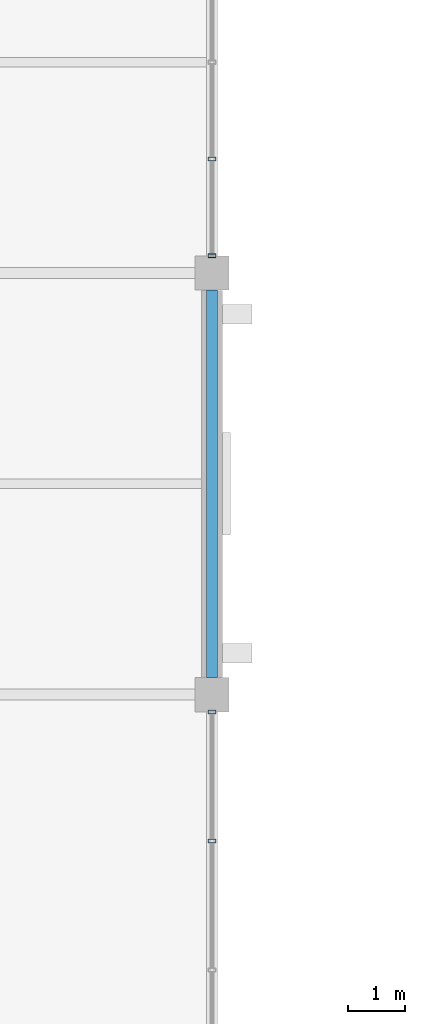
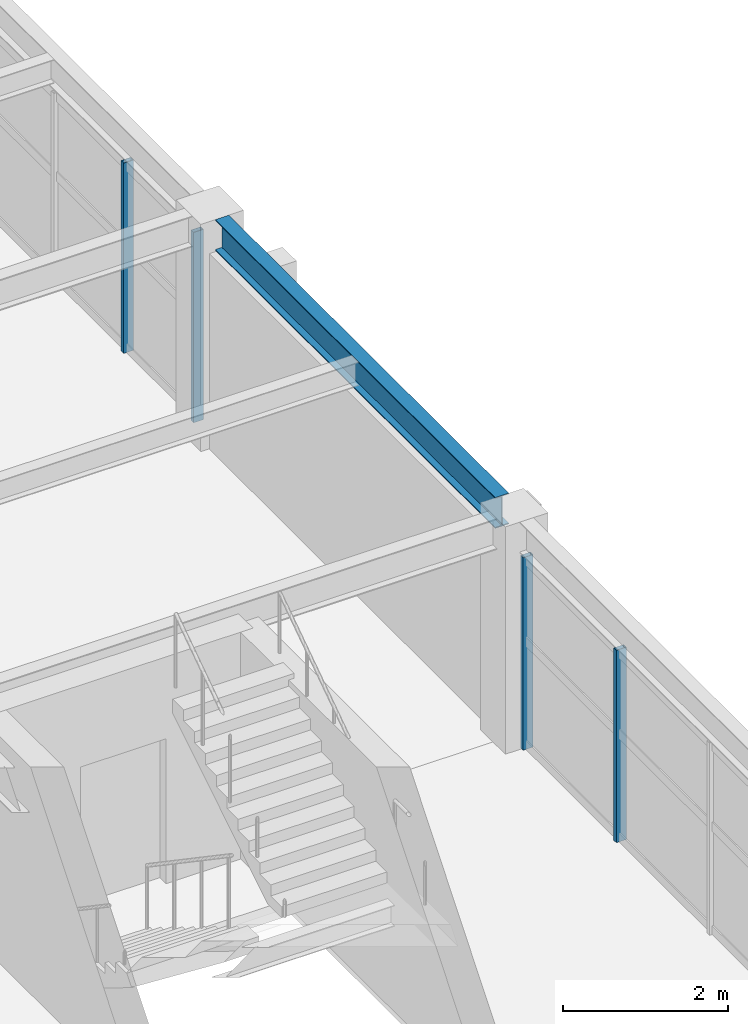
# One storey, part 12 of 121: 4 members, 1 beam, 2 elements without a shape of their own.
"""IFC4 building model written with IfcOpenShell, lengths in metres."""

from ifc_helpers import new_model, si_unit, direction, frame, origin, origin_2d, place, context, subcontext, project, spatial, hollow_rectangle, i_section, extrude, material, material_profile, profile_set, type_object, element, aggregate, save


model = new_model("IFC4")

# Units and contexts
model_context = context("Model", 3, precision=1e-05, world=origin(), true_north=direction((0.0, 1.0)))
body_context = subcontext(model_context, "Body", "Model", "MODEL_VIEW")
ifc_project = project(units=[si_unit("LENGTHUNIT", "METRE"), si_unit("AREAUNIT", "SQUARE_METRE"), si_unit("VOLUMEUNIT", "CUBIC_METRE"), si_unit("PLANEANGLEUNIT", "RADIAN"), si_unit("MASSUNIT", "GRAM", prefix="KILO")], contexts=[model_context])

# Site, building, storey
site_placement = place(None, origin())
site = spatial("IfcSite", under=ifc_project, at=site_placement, CompositionType="ELEMENT")
building_placement = place(site_placement, origin())
building = spatial("IfcBuilding", under=site, at=building_placement, Name="Cimatlan Art Gallery", CompositionType="ELEMENT")
storey_placement = place(building_placement, frame((0.0, 0.0, 10.199951171875)))
storey = spatial("IfcBuildingStorey", under=building, at=storey_placement, Name="L02", CompositionType="ELEMENT", Elevation=10.199951171875)

# Beam
ifc_material_1 = material(Name="Steel ASTM A992 Grade 50", Category="steel")
ifc_material_profile_1 = material_profile(ifc_material_1, i_section(OverallWidth=0.19091796875, OverallDepth=0.45703125, WebThickness=0.009033203125, FlangeThickness=0.014404296875, at=origin_2d()), Name="W18X50")
ifc_profile_set_1 = profile_set([ifc_material_profile_1], Name="Steel ASTM A992 Grade 50")
beam_type = type_object("IfcBeamType", Name="BM-STL-W18X50", PredefinedType="BEAM", material=ifc_profile_set_1)
beam_placement = place(storey_placement, frame((18.199951171875, 53.800048828125, 3.1416015625), z_axis=(0.0, 1.0, 0.0), x_axis=(-1.0, 0.0, 0.0)))
element("IfcBeam", 1, at=beam_placement, inside=storey, type_object=beam_type, Name="BM-Y-L02-02-07", PredefinedType="BEAM", context=body_context, shape_type="SweptSolid", body=[
    extrude(i_section(OverallWidth=0.19091796875, OverallDepth=0.45703125, WebThickness=0.009033203125, FlangeThickness=0.014404296875, at=origin_2d()), origin(), (0.0, 0.0, 1.0), 6.800048828125),
])

# Curtain wall, members
ifc_material_2 = material(Name="Anodised bronze unitised curtain wall")
curtain_wall_type_1 = type_object("IfcCurtainWallType", Name="CW-V-06792X02853-B3", PredefinedType="NOTDEFINED", material=ifc_material_2)
curtain_wall_1_placement = place(storey_placement, origin())
curtain_wall_1 = element("IfcCurtainWall", 2, at=curtain_wall_1_placement, inside=storey, type_object=curtain_wall_type_1, Name="CW-L02-01-06-E", PredefinedType="NOTDEFINED")
ifc_material_3 = material(Name="Anodised bronze aluminium 6063-T6", Category="aluminium")
ifc_material_profile_2 = material_profile(ifc_material_3, hollow_rectangle(XDim=0.06494140625, YDim=0.139892578125, WallThickness=0.00390625, at=origin_2d()), Name="ALU65X140X4")
ifc_profile_set_2 = profile_set([ifc_material_profile_2], Name="Anodised bronze aluminium 6063-T6")
member_type = type_object("IfcMemberType", Name="CW-MUL-140", PredefinedType="MULLION", material=ifc_profile_set_2)
member_1_placement = place(storey_placement, frame((18.199951171875, 53.196044921875, 0.0), z_axis=(0.0, 0.0, 1.0), x_axis=(0.0, 1.0, 0.0)))
member_1 = element("IfcMember", 3, at=member_1_placement, type_object=member_type, Name="CW-L02-01-06-E-M1", PredefinedType="MULLION", context=body_context, shape_type="SweptSolid", body=[
    extrude(hollow_rectangle(XDim=0.06494140625, YDim=0.139892578125, WallThickness=0.00390625, at=origin_2d()), origin(), (0.0, 0.0, 1.0), 2.85302734375),
])
member_2_placement = place(storey_placement, frame((18.199951171875, 50.931884765625, 0.0), z_axis=(0.0, 0.0, 1.0), x_axis=(0.0, 1.0, 0.0)))
member_2 = element("IfcMember", 4, at=member_2_placement, type_object=member_type, Name="CW-L02-01-06-E-M2", PredefinedType="MULLION", context=body_context, shape_type="SweptSolid", body=[
    extrude(hollow_rectangle(XDim=0.06494140625, YDim=0.139892578125, WallThickness=0.00390625, at=origin_2d()), origin(), (0.0, 0.0, 1.0), 2.85302734375),
])
aggregate(curtain_wall_1, [member_1, member_2])

curtain_wall_type_2 = type_object("IfcCurtainWallType", Name="CW-V-06792X02823-B4", PredefinedType="NOTDEFINED", material=ifc_material_2)
curtain_wall_2_placement = place(storey_placement, origin())
curtain_wall_2 = element("IfcCurtainWall", 5, at=curtain_wall_2_placement, inside=storey, type_object=curtain_wall_type_2, Name="CW-L02-01-08-E", PredefinedType="NOTDEFINED")
member_3_placement = place(storey_placement, frame((18.199951171875, 62.902099609375, 0.0), z_axis=(0.0, 0.0, 1.0), x_axis=(0.0, 1.0, 0.0)))
member_3 = element("IfcMember", 6, at=member_3_placement, type_object=member_type, Name="CW-L02-01-08-E-M4", PredefinedType="MULLION", context=body_context, shape_type="SweptSolid", body=[
    extrude(hollow_rectangle(XDim=0.06494140625, YDim=0.139892578125, WallThickness=0.00390625, at=origin_2d()), origin(), (0.0, 0.0, 1.0), 2.822998046875),
])
member_4_placement = place(storey_placement, frame((18.199951171875, 61.2041015625, 0.0), z_axis=(0.0, 0.0, 1.0), x_axis=(0.0, 1.0, 0.0)))
member_4 = element("IfcMember", 7, at=member_4_placement, type_object=member_type, Name="CW-L02-01-08-E-M5", PredefinedType="MULLION", context=body_context, shape_type="SweptSolid", body=[
    extrude(hollow_rectangle(XDim=0.06494140625, YDim=0.139892578125, WallThickness=0.00390625, at=origin_2d()), origin(), (0.0, 0.0, 1.0), 2.822998046875),
])
aggregate(curtain_wall_2, [member_3, member_4])

save(model, "model.ifc")
